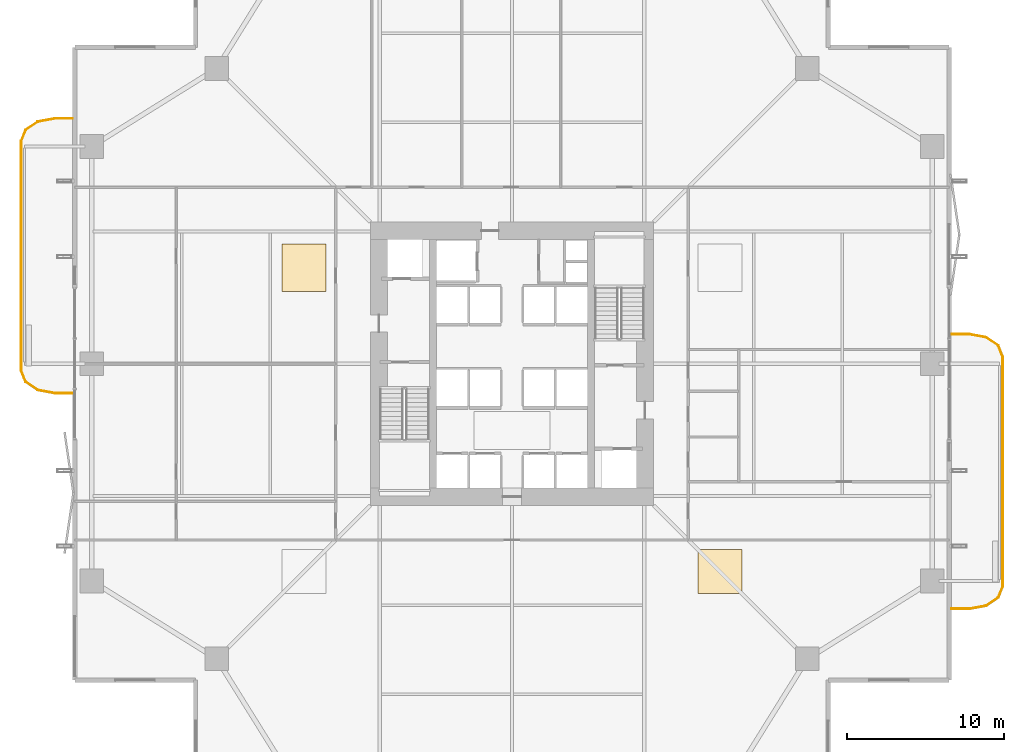
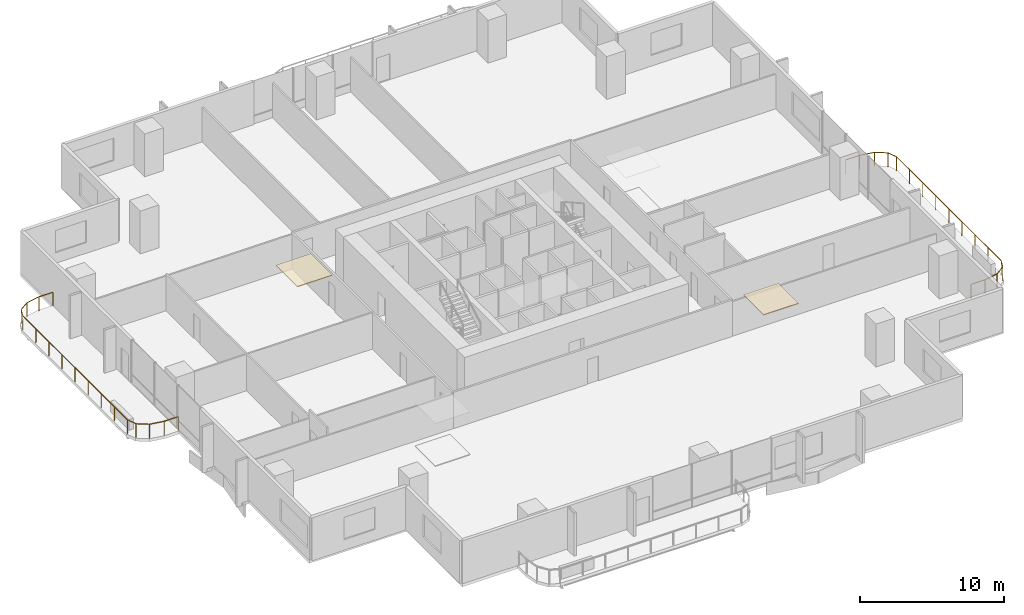
# One storey, part 22 of 23: 2 coverings, 2 railings.
"""IFC4 building model written with IfcOpenShell, lengths in metres."""

from ifc_helpers import new_model, si_unit, direction, frame, origin, origin_2d, place, context, subcontext, project, spatial, polyline, rectangle, outline, extrude, material, layer, layer_set, type_object, element, save


model = new_model("IFC4")

# Units and contexts
model_context = context("Model", 3, precision=1e-05, world=origin(), true_north=direction((0.0, 1.0)))
body_context = subcontext(model_context, "Body", "Model", "MODEL_VIEW")
ifc_project = project(units=[si_unit("LENGTHUNIT", "METRE"), si_unit("AREAUNIT", "SQUARE_METRE"), si_unit("VOLUMEUNIT", "CUBIC_METRE"), si_unit("PLANEANGLEUNIT", "RADIAN"), si_unit("MASSUNIT", "GRAM", prefix="KILO")], contexts=[model_context])

# Site, building, storey
site_placement = place(None, origin())
site = spatial("IfcSite", under=ifc_project, at=site_placement, CompositionType="ELEMENT")
building_placement = place(site_placement, origin())
building = spatial("IfcBuilding", under=site, at=building_placement, Name="Belovzor Exchange Tower", CompositionType="ELEMENT")
storey_placement = place(building_placement, frame((0.0, 0.0, 100.199951171875)))
storey = spatial("IfcBuildingStorey", under=building, at=storey_placement, Name="L24", CompositionType="ELEMENT", Elevation=100.199951171875)

# Railings
ifc_material_1 = material(Name="Stainless Steel and Laminated Safety Glass", Category="steel")
railing_type = type_object("IfcRailingType", Name="Laminated Glass & Stainless Steel Balcony Balustrade 1200", PredefinedType="BALUSTRADE", material=ifc_material_1)
railing_1_placement = place(storey_placement, frame((56.7099609375, 13.22998046875, 0.0)))
element("IfcRailing", 1, at=railing_1_placement, inside=storey, type_object=railing_type, Name="GR-1 Balcony Balustrade L24 East", PredefinedType="BALUSTRADE", context=body_context, shape_type="SweptSolid", body=[
    extrude(rectangle(XDim=0.048095703125, YDim=0.048095703125, at=origin_2d()), frame((0.0, 0.0, 1.17578125), z_axis=(1.0, 0.0, 0.0), x_axis=(0.0, 1.0, 0.0)), (0.0, 0.0, 1.0), 1.133056640625),
    extrude(rectangle(XDim=0.048095703125, YDim=0.048095703125, at=origin_2d()), frame((1.133056640625, 0.0, 1.17578125), z_axis=(0.983644145941, 0.180122719713, 0.0), x_axis=(-0.180122719713, 0.983644145941, 0.0)), (0.0, 0.0, 1.0), 1.09375),
    extrude(rectangle(XDim=0.048095703125, YDim=0.048095703125, at=origin_2d()), frame((2.208984375, 0.197021484375, 1.17578125), z_axis=(0.826614792125, 0.562768145367, 0.0), x_axis=(-0.562768145367, 0.826614792125, 0.0)), (0.0, 0.0, 1.0), 0.9326171875),
    extrude(rectangle(XDim=0.048095703125, YDim=0.048095703125, at=origin_2d()), frame((2.97998046875, 0.721923828125, 1.17578125), z_axis=(0.365504480807, 0.930809580156, 0.0), x_axis=(-0.930809580156, 0.365504480807, 0.0)), (0.0, 0.0, 1.0), 0.76611328125),
    extrude(rectangle(XDim=0.048095703125, YDim=0.048095703125, at=origin_2d()), frame((3.260009765625, 1.43505859375, 1.17578125), z_axis=(0.0, 1.0, 0.0), x_axis=(-1.0, 0.0, 0.0)), (0.0, 0.0, 1.0), 14.570068359375),
    extrude(rectangle(XDim=0.048095703125, YDim=0.048095703125, at=origin_2d()), frame((3.260009765625, 16.005126953125, 1.17578125), z_axis=(-0.365612923861, 0.930766990125, 0.0), x_axis=(-0.930766990125, -0.365612923861, 0.0)), (0.0, 0.0, 1.0), 0.765869140625),
    extrude(rectangle(XDim=0.048095703125, YDim=0.048095703125, at=origin_2d()), frame((2.97998046875, 16.718017578125, 1.17578125), z_axis=(-0.826614792125, 0.562768145367, 0.0), x_axis=(-0.562768145367, -0.826614792125, 0.0)), (0.0, 0.0, 1.0), 0.9326171875),
    extrude(rectangle(XDim=0.048095703125, YDim=0.048095703125, at=origin_2d()), frame((2.208984375, 17.242919921875, 1.17578125), z_axis=(-0.983644145941, 0.180122719713, 0.0), x_axis=(-0.180122719713, -0.983644145941, 0.0)), (0.0, 0.0, 1.0), 1.09375),
    extrude(rectangle(XDim=0.048095703125, YDim=0.048095703125, at=origin_2d()), frame((1.133056640625, 17.43994140625, 1.17578125), z_axis=(-1.0, 0.0, 0.0), x_axis=(0.0, -1.0, 0.0)), (0.0, 0.0, 1.0), 1.133056640625),
    extrude(rectangle(XDim=0.0419921875, YDim=0.0419921875, at=origin_2d()), origin(), (0.0, 0.0, 1.0), 1.15185546875),
    extrude(rectangle(XDim=0.0419921875, YDim=0.0419921875, at=origin_2d()), frame((1.133056640625, 0.0, 0.0)), (0.0, 0.0, 1.0), 1.15185546875),
    extrude(rectangle(XDim=0.0419921875, YDim=0.0419921875, at=origin_2d()), frame((2.208984375, 0.197021484375, 0.0)), (0.0, 0.0, 1.0), 1.15185546875),
    extrude(rectangle(XDim=0.0419921875, YDim=0.0419921875, at=origin_2d()), frame((2.97998046875, 0.721923828125, 0.0)), (0.0, 0.0, 1.0), 1.15185546875),
    extrude(rectangle(XDim=0.0419921875, YDim=0.0419921875, at=origin_2d()), frame((3.260009765625, 1.43505859375, 0.0)), (0.0, 0.0, 1.0), 1.15185546875),
    extrude(rectangle(XDim=0.0419921875, YDim=0.0419921875, at=origin_2d()), frame((3.260009765625, 3.25634765625, 0.0)), (0.0, 0.0, 1.0), 1.15185546875),
    extrude(rectangle(XDim=0.0419921875, YDim=0.0419921875, at=origin_2d()), frame((3.260009765625, 5.07763671875, 0.0)), (0.0, 0.0, 1.0), 1.15185546875),
    extrude(rectangle(XDim=0.0419921875, YDim=0.0419921875, at=origin_2d()), frame((3.260009765625, 6.89892578125, 0.0)), (0.0, 0.0, 1.0), 1.15185546875),
    extrude(rectangle(XDim=0.0419921875, YDim=0.0419921875, at=origin_2d()), frame((3.260009765625, 8.72021484375, 0.0)), (0.0, 0.0, 1.0), 1.15185546875),
    extrude(rectangle(XDim=0.0419921875, YDim=0.0419921875, at=origin_2d()), frame((3.260009765625, 10.541259765625, 0.0)), (0.0, 0.0, 1.0), 1.15185546875),
    extrude(rectangle(XDim=0.0419921875, YDim=0.0419921875, at=origin_2d()), frame((3.260009765625, 12.362548828125, 0.0)), (0.0, 0.0, 1.0), 1.15185546875),
    extrude(rectangle(XDim=0.0419921875, YDim=0.0419921875, at=origin_2d()), frame((3.260009765625, 14.183837890625, 0.0)), (0.0, 0.0, 1.0), 1.15185546875),
    extrude(rectangle(XDim=0.0419921875, YDim=0.0419921875, at=origin_2d()), frame((3.260009765625, 16.005126953125, 0.0)), (0.0, 0.0, 1.0), 1.15185546875),
    extrude(rectangle(XDim=0.0419921875, YDim=0.0419921875, at=origin_2d()), frame((2.97998046875, 16.718017578125, 0.0)), (0.0, 0.0, 1.0), 1.15185546875),
    extrude(rectangle(XDim=0.0419921875, YDim=0.0419921875, at=origin_2d()), frame((2.208984375, 17.242919921875, 0.0)), (0.0, 0.0, 1.0), 1.15185546875),
    extrude(rectangle(XDim=0.0419921875, YDim=0.0419921875, at=origin_2d()), frame((1.133056640625, 17.43994140625, 0.0)), (0.0, 0.0, 1.0), 1.15185546875),
    extrude(rectangle(XDim=0.0419921875, YDim=0.0419921875, at=origin_2d()), frame((0.0, 17.43994140625, 0.0)), (0.0, 0.0, 1.0), 1.15185546875),
])
railing_2_placement = place(storey_placement, frame((0.889892578125, 44.3701171875, 0.0)))
element("IfcRailing", 2, at=railing_2_placement, inside=storey, type_object=railing_type, Name="GR-1 Balcony Balustrade L24 West", PredefinedType="BALUSTRADE", context=body_context, shape_type="SweptSolid", body=[
    extrude(rectangle(XDim=0.048095703125, YDim=0.048095703125, at=origin_2d()), frame((0.0, 0.0, 1.17578125), z_axis=(-1.0, 0.0, 0.0), x_axis=(0.0, -1.0, 0.0)), (0.0, 0.0, 1.0), 1.1328125),
    extrude(rectangle(XDim=0.048095703125, YDim=0.048095703125, at=origin_2d()), frame((-1.1328125, 0.0, 1.17578125), z_axis=(-0.983651385113, -0.180083182347, 0.0), x_axis=(0.180083182347, -0.983651385113, 0.0)), (0.0, 0.0, 1.0), 1.093994140625),
    extrude(rectangle(XDim=0.048095703125, YDim=0.048095703125, at=origin_2d()), frame((-2.208984375, -0.197021484375, 1.17578125), z_axis=(-0.826493025367, -0.56294695933, 0.0), x_axis=(0.56294695933, -0.826493025367, 0.0)), (0.0, 0.0, 1.0), 0.932861328125),
    extrude(rectangle(XDim=0.048095703125, YDim=0.048095703125, at=origin_2d()), frame((-2.97998046875, -0.72216796875, 1.17578125), z_axis=(-0.365612923861, -0.930766990125, 0.0), x_axis=(0.930766990125, -0.365612923861, 0.0)), (0.0, 0.0, 1.0), 0.765869140625),
    extrude(rectangle(XDim=0.048095703125, YDim=0.048095703125, at=origin_2d()), frame((-3.260009765625, -1.43505859375, 1.17578125), z_axis=(0.0, -1.0, 0.0), x_axis=(1.0, 0.0, 0.0)), (0.0, 0.0, 1.0), 14.570068359375),
    extrude(rectangle(XDim=0.048095703125, YDim=0.048095703125, at=origin_2d()), frame((-3.260009765625, -16.005126953125, 1.17578125), z_axis=(0.365612923861, -0.930766990125, 0.0), x_axis=(0.930766990125, 0.365612923861, 0.0)), (0.0, 0.0, 1.0), 0.765869140625),
    extrude(rectangle(XDim=0.048095703125, YDim=0.048095703125, at=origin_2d()), frame((-2.97998046875, -16.718017578125, 1.17578125), z_axis=(0.826493025367, -0.56294695933, 0.0), x_axis=(0.56294695933, 0.826493025367, 0.0)), (0.0, 0.0, 1.0), 0.932861328125),
    extrude(rectangle(XDim=0.048095703125, YDim=0.048095703125, at=origin_2d()), frame((-2.208984375, -17.2431640625, 1.17578125), z_axis=(0.983651385113, -0.180083182347, 0.0), x_axis=(0.180083182347, 0.983651385113, 0.0)), (0.0, 0.0, 1.0), 1.093994140625),
    extrude(rectangle(XDim=0.048095703125, YDim=0.048095703125, at=origin_2d()), frame((-1.1328125, -17.440185546875, 1.17578125), z_axis=(1.0, 0.0, 0.0), x_axis=(0.0, 1.0, 0.0)), (0.0, 0.0, 1.0), 1.1328125),
    extrude(rectangle(XDim=0.0419921875, YDim=0.0419921875, at=origin_2d()), origin(), (0.0, 0.0, 1.0), 1.15185546875),
    extrude(rectangle(XDim=0.0419921875, YDim=0.0419921875, at=origin_2d()), frame((-1.1328125, 0.0, 0.0)), (0.0, 0.0, 1.0), 1.15185546875),
    extrude(rectangle(XDim=0.0419921875, YDim=0.0419921875, at=origin_2d()), frame((-2.208984375, -0.197021484375, 0.0)), (0.0, 0.0, 1.0), 1.15185546875),
    extrude(rectangle(XDim=0.0419921875, YDim=0.0419921875, at=origin_2d()), frame((-2.97998046875, -0.72216796875, 0.0)), (0.0, 0.0, 1.0), 1.15185546875),
    extrude(rectangle(XDim=0.0419921875, YDim=0.0419921875, at=origin_2d()), frame((-3.260009765625, -1.43505859375, 0.0)), (0.0, 0.0, 1.0), 1.15185546875),
    extrude(rectangle(XDim=0.0419921875, YDim=0.0419921875, at=origin_2d()), frame((-3.260009765625, -3.25634765625, 0.0)), (0.0, 0.0, 1.0), 1.15185546875),
    extrude(rectangle(XDim=0.0419921875, YDim=0.0419921875, at=origin_2d()), frame((-3.260009765625, -5.07763671875, 0.0)), (0.0, 0.0, 1.0), 1.15185546875),
    extrude(rectangle(XDim=0.0419921875, YDim=0.0419921875, at=origin_2d()), frame((-3.260009765625, -6.89892578125, 0.0)), (0.0, 0.0, 1.0), 1.15185546875),
    extrude(rectangle(XDim=0.0419921875, YDim=0.0419921875, at=origin_2d()), frame((-3.260009765625, -8.72021484375, 0.0)), (0.0, 0.0, 1.0), 1.15185546875),
    extrude(rectangle(XDim=0.0419921875, YDim=0.0419921875, at=origin_2d()), frame((-3.260009765625, -10.541259765625, 0.0)), (0.0, 0.0, 1.0), 1.15185546875),
    extrude(rectangle(XDim=0.0419921875, YDim=0.0419921875, at=origin_2d()), frame((-3.260009765625, -12.362548828125, 0.0)), (0.0, 0.0, 1.0), 1.15185546875),
    extrude(rectangle(XDim=0.0419921875, YDim=0.0419921875, at=origin_2d()), frame((-3.260009765625, -14.183837890625, 0.0)), (0.0, 0.0, 1.0), 1.15185546875),
    extrude(rectangle(XDim=0.0419921875, YDim=0.0419921875, at=origin_2d()), frame((-3.260009765625, -16.005126953125, 0.0)), (0.0, 0.0, 1.0), 1.15185546875),
    extrude(rectangle(XDim=0.0419921875, YDim=0.0419921875, at=origin_2d()), frame((-2.97998046875, -16.718017578125, 0.0)), (0.0, 0.0, 1.0), 1.15185546875),
    extrude(rectangle(XDim=0.0419921875, YDim=0.0419921875, at=origin_2d()), frame((-2.208984375, -17.2431640625, 0.0)), (0.0, 0.0, 1.0), 1.15185546875),
    extrude(rectangle(XDim=0.0419921875, YDim=0.0419921875, at=origin_2d()), frame((-1.1328125, -17.440185546875, 0.0)), (0.0, 0.0, 1.0), 1.15185546875),
    extrude(rectangle(XDim=0.0419921875, YDim=0.0419921875, at=origin_2d()), frame((0.0, -17.440185546875, 0.0)), (0.0, 0.0, 1.0), 1.15185546875),
])

# Coverings
ifc_material_2 = material(Name="Perforated Powder-Coated Aluminium", Category="aluminium")
ifc_layer = layer(ifc_material_2, 0.06005859375)
ifc_layer_set = layer_set([ifc_layer], Name="Perforated Powder-Coated Aluminium")
covering_type = type_object("IfcCoveringType", Name="Perforated Acoustic Metal Tile Suspended Ceiling 60", PredefinedType="CEILING", material=ifc_layer_set)
covering_1_placement = place(storey_placement, frame((0.0, 0.0, 3.590087890625)))
element("IfcCovering", 3, at=covering_1_placement, inside=storey, type_object=covering_type, Name="CLG-AC60 Suspended Ceiling CLG-L24-Z1", PredefinedType="CEILING", context=body_context, shape_type="SweptSolid", body=[
    extrude(outline(polyline([(40.60009765625, 14.199951171875), (43.39990234375, 14.199951171875), (43.39990234375, 17.0), (40.60009765625, 17.0), (40.60009765625, 14.199951171875)])), origin(), (0.0, 0.0, 1.0), 0.06005859375),
])
covering_2_placement = place(storey_placement, frame((0.0, 0.0, 3.590087890625)))
element("IfcCovering", 4, at=covering_2_placement, inside=storey, type_object=covering_type, Name="CLG-AC60 Suspended Ceiling CLG-L24-Z3", PredefinedType="CEILING", context=body_context, shape_type="SweptSolid", body=[
    extrude(outline(polyline([(14.199951171875, 33.39990234375), (17.0, 33.39990234375), (17.0, 36.39990234375), (14.199951171875, 36.39990234375), (14.199951171875, 33.39990234375)])), origin(), (0.0, 0.0, 1.0), 0.06005859375),
])

save(model, "model.ifc")
